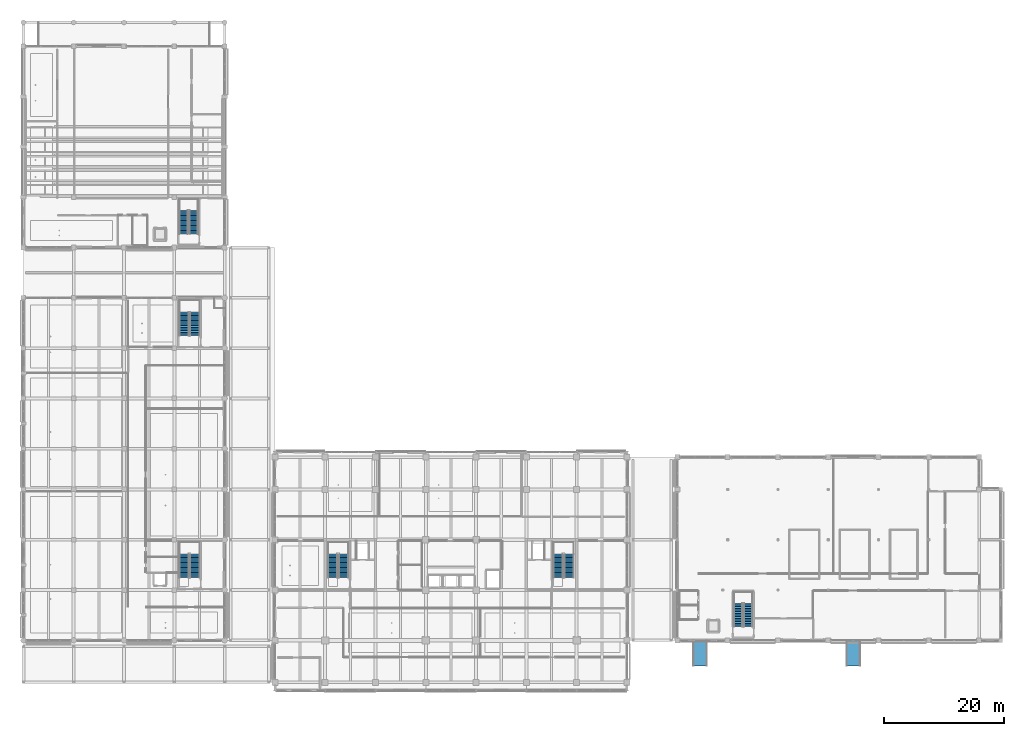
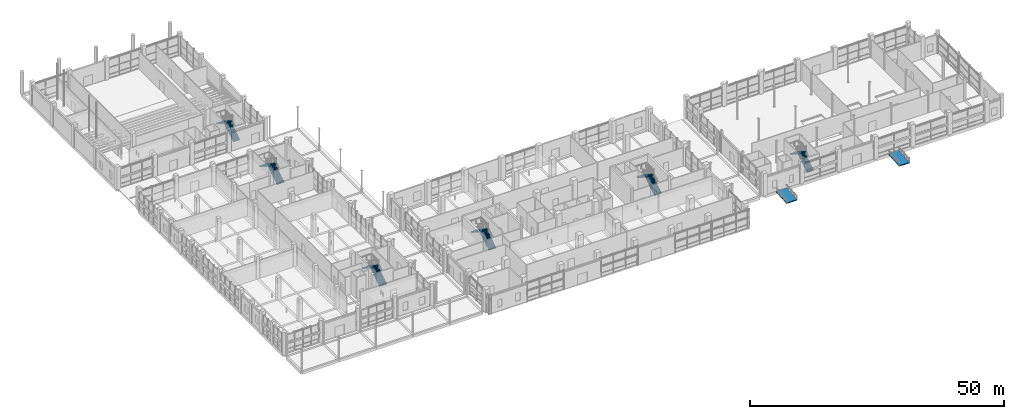
# One storey, part 66 of 140: 12 stair flights, 2 ramp flights, 8 elements without a shape of their own.
"""IFC4 building model written with IfcOpenShell, lengths in metres."""

from ifc_helpers import new_model, si_unit, direction, frame, origin, place, context, subcontext, project, spatial, polyline, outline, extrude, material, layer, layer_set, type_object, element, aggregate, save


model = new_model("IFC4")

# Units and contexts
model_context = context("Model", 3, precision=1e-05, world=origin(), true_north=direction((0.0, 1.0)))
body_context = subcontext(model_context, "Body", "Model", "MODEL_VIEW")
ifc_project = project(units=[si_unit("LENGTHUNIT", "METRE"), si_unit("AREAUNIT", "SQUARE_METRE"), si_unit("VOLUMEUNIT", "CUBIC_METRE"), si_unit("PLANEANGLEUNIT", "RADIAN"), si_unit("MASSUNIT", "GRAM", prefix="KILO")], contexts=[model_context])

# Site, building, storey
site_placement = place(None, origin())
site = spatial("IfcSite", under=ifc_project, at=site_placement, CompositionType="ELEMENT")
building_placement = place(site_placement, origin())
building = spatial("IfcBuilding", under=site, at=building_placement, Name="Telukmera Botanical Conservatory", CompositionType="ELEMENT")
storey_placement = place(building_placement, origin())
storey = spatial("IfcBuildingStorey", under=building, at=storey_placement, Name="L00", CompositionType="ELEMENT", Elevation=0.0)

# Stair, stair flights
ifc_material = material(Name="Concrete C40/50", Category="concrete")
stair_type_1 = type_object("IfcStairType", Name="ST-ESC-5400", PredefinedType="HALF_TURN_STAIR", material=ifc_material)
stair_1_placement = place(storey_placement, origin())
stair_1 = element("IfcStair", 1, at=stair_1_placement, inside=storey, type_object=stair_type_1, Name="L00 Protected Escape Stair ST1", PredefinedType="HALF_TURN_STAIR")
stair_flight_type_1 = type_object("IfcStairFlightType", Name="SF-ESC-5400", PredefinedType="STRAIGHT", material=ifc_material)
stair_flight_1_placement = place(storey_placement, frame((61.89990234375, 28.090087890625, 0.0), z_axis=(0.0, 0.0, 1.0), x_axis=(0.0, 1.0, 0.0)))
stair_flight_1 = element("IfcStairFlight", 2, at=stair_flight_1_placement, type_object=stair_flight_type_1, Name="ST1 flight 1", NumberOfRisers=15, NumberOfTreads=14, PredefinedType="STRAIGHT", RiserHeight=0.18, TreadLength=0.28, context=body_context, shape_type="SweptSolid", body=[
    extrude(outline(polyline([(0.0, 0.0), (0.0, 0.179931640625), (0.280029296875, 0.179931640625), (0.280029296875, 0.360107421875), (0.56005859375, 0.360107421875), (0.56005859375, 0.5400390625), (0.840087890625, 0.5400390625), (0.840087890625, 0.719970703125), (1.1201171875, 0.719970703125), (1.1201171875, 0.89990234375), (1.39990234375, 0.89990234375), (1.39990234375, 1.080078125), (1.679931640625, 1.080078125), (1.679931640625, 1.260009765625), (1.9599609375, 1.260009765625), (1.9599609375, 1.43994140625), (2.239990234375, 1.43994140625), (2.239990234375, 1.6201171875), (2.52001953125, 1.6201171875), (2.52001953125, 1.800048828125), (2.800048828125, 1.800048828125), (2.800048828125, 1.97998046875), (3.080078125, 1.97998046875), (3.080078125, 2.159912109375), (3.360107421875, 2.159912109375), (3.360107421875, 2.340087890625), (3.639892578125, 2.340087890625), (3.639892578125, 2.52001953125), (3.919921875, 2.52001953125), (3.919921875, 2.699951171875), (3.919921875, 2.329833984375), (0.295654296875, 0.0), (0.0, 0.0)])), frame((0.0, 0.830078125, 0.0), z_axis=(0.0, -1.0, 0.0), x_axis=(1.0, 0.0, 0.0)), (0.0, 0.0, 1.0), 1.659912109375),
])
stair_flight_2_placement = place(storey_placement, frame((60.080078125, 32.010009765625, 2.699951171875), z_axis=(0.0, 0.0, 1.0), x_axis=(0.0, -1.0, 0.0)))
stair_flight_2 = element("IfcStairFlight", 3, at=stair_flight_2_placement, type_object=stair_flight_type_1, Name="ST1 flight 2", NumberOfRisers=15, NumberOfTreads=14, PredefinedType="STRAIGHT", RiserHeight=0.18, TreadLength=0.28, context=body_context, shape_type="SweptSolid", body=[
    extrude(outline(polyline([(0.0, 0.0), (0.0, 0.179931640625), (0.280029296875, 0.179931640625), (0.280029296875, 0.360107421875), (0.56005859375, 0.360107421875), (0.56005859375, 0.5400390625), (0.840087890625, 0.5400390625), (0.840087890625, 0.719970703125), (1.1201171875, 0.719970703125), (1.1201171875, 0.89990234375), (1.39990234375, 0.89990234375), (1.39990234375, 1.080078125), (1.679931640625, 1.080078125), (1.679931640625, 1.260009765625), (1.9599609375, 1.260009765625), (1.9599609375, 1.43994140625), (2.239990234375, 1.43994140625), (2.239990234375, 1.6201171875), (2.52001953125, 1.6201171875), (2.52001953125, 1.800048828125), (2.800048828125, 1.800048828125), (2.800048828125, 1.97998046875), (3.080078125, 1.97998046875), (3.080078125, 2.159912109375), (3.360107421875, 2.159912109375), (3.360107421875, 2.340087890625), (3.639892578125, 2.340087890625), (3.639892578125, 2.52001953125), (3.919921875, 2.52001953125), (3.919921875, 2.699951171875), (3.919921875, 2.329833984375), (0.295654296875, 0.0), (0.0, 0.0)])), frame((0.0, 0.830078125, 0.0), z_axis=(0.0, -1.0, 0.0), x_axis=(1.0, 0.0, 0.0)), (0.0, 0.0, 1.0), 1.659912109375),
])
aggregate(stair_1, [stair_flight_1, stair_flight_2])

stair_2_placement = place(storey_placement, origin())
stair_2 = element("IfcStair", 4, at=stair_2_placement, inside=storey, type_object=stair_type_1, Name="L00 Protected Escape Stair ST2", PredefinedType="HALF_TURN_STAIR")
stair_flight_3_placement = place(storey_placement, frame((99.52001953125, 28.090087890625, 0.0), z_axis=(0.0, 0.0, 1.0), x_axis=(0.0, 1.0, 0.0)))
stair_flight_3 = element("IfcStairFlight", 5, at=stair_flight_3_placement, type_object=stair_flight_type_1, Name="ST2 flight 1", NumberOfRisers=15, NumberOfTreads=14, PredefinedType="STRAIGHT", RiserHeight=0.18, TreadLength=0.28, context=body_context, shape_type="SweptSolid", body=[
    extrude(outline(polyline([(0.0, 0.0), (0.0, 0.179931640625), (0.280029296875, 0.179931640625), (0.280029296875, 0.360107421875), (0.56005859375, 0.360107421875), (0.56005859375, 0.5400390625), (0.840087890625, 0.5400390625), (0.840087890625, 0.719970703125), (1.1201171875, 0.719970703125), (1.1201171875, 0.89990234375), (1.39990234375, 0.89990234375), (1.39990234375, 1.080078125), (1.679931640625, 1.080078125), (1.679931640625, 1.260009765625), (1.9599609375, 1.260009765625), (1.9599609375, 1.43994140625), (2.239990234375, 1.43994140625), (2.239990234375, 1.6201171875), (2.52001953125, 1.6201171875), (2.52001953125, 1.800048828125), (2.800048828125, 1.800048828125), (2.800048828125, 1.97998046875), (3.080078125, 1.97998046875), (3.080078125, 2.159912109375), (3.360107421875, 2.159912109375), (3.360107421875, 2.340087890625), (3.639892578125, 2.340087890625), (3.639892578125, 2.52001953125), (3.919921875, 2.52001953125), (3.919921875, 2.699951171875), (3.919921875, 2.329833984375), (0.295654296875, 0.0), (0.0, 0.0)])), frame((0.0, 0.830078125, 0.0), z_axis=(0.0, -1.0, 0.0), x_axis=(1.0, 0.0, 0.0)), (0.0, 0.0, 1.0), 1.659912109375),
])
stair_flight_4_placement = place(storey_placement, frame((97.699951171875, 32.010009765625, 2.699951171875), z_axis=(0.0, 0.0, 1.0), x_axis=(0.0, -1.0, 0.0)))
stair_flight_4 = element("IfcStairFlight", 6, at=stair_flight_4_placement, type_object=stair_flight_type_1, Name="ST2 flight 2", NumberOfRisers=15, NumberOfTreads=14, PredefinedType="STRAIGHT", RiserHeight=0.18, TreadLength=0.28, context=body_context, shape_type="SweptSolid", body=[
    extrude(outline(polyline([(0.0, 0.0), (0.0, 0.179931640625), (0.280029296875, 0.179931640625), (0.280029296875, 0.360107421875), (0.56005859375, 0.360107421875), (0.56005859375, 0.5400390625), (0.840087890625, 0.5400390625), (0.840087890625, 0.719970703125), (1.1201171875, 0.719970703125), (1.1201171875, 0.89990234375), (1.39990234375, 0.89990234375), (1.39990234375, 1.080078125), (1.679931640625, 1.080078125), (1.679931640625, 1.260009765625), (1.9599609375, 1.260009765625), (1.9599609375, 1.43994140625), (2.239990234375, 1.43994140625), (2.239990234375, 1.6201171875), (2.52001953125, 1.6201171875), (2.52001953125, 1.800048828125), (2.800048828125, 1.800048828125), (2.800048828125, 1.97998046875), (3.080078125, 1.97998046875), (3.080078125, 2.159912109375), (3.360107421875, 2.159912109375), (3.360107421875, 2.340087890625), (3.639892578125, 2.340087890625), (3.639892578125, 2.52001953125), (3.919921875, 2.52001953125), (3.919921875, 2.699951171875), (3.919921875, 2.329833984375), (0.295654296875, 0.0), (0.0, 0.0)])), frame((0.0, 0.830078125, 0.0), z_axis=(0.0, -1.0, 0.0), x_axis=(1.0, 0.0, 0.0)), (0.0, 0.0, 1.0), 1.659912109375),
])
aggregate(stair_2, [stair_flight_3, stair_flight_4])

stair_3_placement = place(storey_placement, origin())
stair_3 = element("IfcStair", 7, at=stair_3_placement, inside=storey, type_object=stair_type_1, Name="L00 Protected Escape Stair ST3", PredefinedType="HALF_TURN_STAIR")
stair_flight_5_placement = place(storey_placement, frame((37.050048828125, 28.090087890625, 0.0), z_axis=(0.0, 0.0, 1.0), x_axis=(0.0, 1.0, 0.0)))
stair_flight_5 = element("IfcStairFlight", 8, at=stair_flight_5_placement, type_object=stair_flight_type_1, Name="ST3 flight 1", NumberOfRisers=15, NumberOfTreads=14, PredefinedType="STRAIGHT", RiserHeight=0.18, TreadLength=0.28, context=body_context, shape_type="SweptSolid", body=[
    extrude(outline(polyline([(0.0, 0.0), (0.0, 0.179931640625), (0.280029296875, 0.179931640625), (0.280029296875, 0.360107421875), (0.56005859375, 0.360107421875), (0.56005859375, 0.5400390625), (0.840087890625, 0.5400390625), (0.840087890625, 0.719970703125), (1.1201171875, 0.719970703125), (1.1201171875, 0.89990234375), (1.39990234375, 0.89990234375), (1.39990234375, 1.080078125), (1.679931640625, 1.080078125), (1.679931640625, 1.260009765625), (1.9599609375, 1.260009765625), (1.9599609375, 1.43994140625), (2.239990234375, 1.43994140625), (2.239990234375, 1.6201171875), (2.52001953125, 1.6201171875), (2.52001953125, 1.800048828125), (2.800048828125, 1.800048828125), (2.800048828125, 1.97998046875), (3.080078125, 1.97998046875), (3.080078125, 2.159912109375), (3.360107421875, 2.159912109375), (3.360107421875, 2.340087890625), (3.639892578125, 2.340087890625), (3.639892578125, 2.52001953125), (3.919921875, 2.52001953125), (3.919921875, 2.699951171875), (3.919921875, 2.329833984375), (0.295654296875, 0.0), (0.0, 0.0)])), frame((0.0, 0.830078125, 0.0), z_axis=(0.0, -1.0, 0.0), x_axis=(1.0, 0.0, 0.0)), (0.0, 0.0, 1.0), 1.659912109375),
])
stair_flight_6_placement = place(storey_placement, frame((35.22998046875, 32.010009765625, 2.699951171875), z_axis=(0.0, 0.0, 1.0), x_axis=(0.0, -1.0, 0.0)))
stair_flight_6 = element("IfcStairFlight", 9, at=stair_flight_6_placement, type_object=stair_flight_type_1, Name="ST3 flight 2", NumberOfRisers=15, NumberOfTreads=14, PredefinedType="STRAIGHT", RiserHeight=0.18, TreadLength=0.28, context=body_context, shape_type="SweptSolid", body=[
    extrude(outline(polyline([(0.0, 0.0), (0.0, 0.179931640625), (0.280029296875, 0.179931640625), (0.280029296875, 0.360107421875), (0.56005859375, 0.360107421875), (0.56005859375, 0.5400390625), (0.840087890625, 0.5400390625), (0.840087890625, 0.719970703125), (1.1201171875, 0.719970703125), (1.1201171875, 0.89990234375), (1.39990234375, 0.89990234375), (1.39990234375, 1.080078125), (1.679931640625, 1.080078125), (1.679931640625, 1.260009765625), (1.9599609375, 1.260009765625), (1.9599609375, 1.43994140625), (2.239990234375, 1.43994140625), (2.239990234375, 1.6201171875), (2.52001953125, 1.6201171875), (2.52001953125, 1.800048828125), (2.800048828125, 1.800048828125), (2.800048828125, 1.97998046875), (3.080078125, 1.97998046875), (3.080078125, 2.159912109375), (3.360107421875, 2.159912109375), (3.360107421875, 2.340087890625), (3.639892578125, 2.340087890625), (3.639892578125, 2.52001953125), (3.919921875, 2.52001953125), (3.919921875, 2.699951171875), (3.919921875, 2.329833984375), (0.295654296875, 0.0), (0.0, 0.0)])), frame((0.0, 0.830078125, 0.0), z_axis=(0.0, -1.0, 0.0), x_axis=(1.0, 0.0, 0.0)), (0.0, 0.0, 1.0), 1.659912109375),
])
aggregate(stair_3, [stair_flight_5, stair_flight_6])

stair_4_placement = place(storey_placement, origin())
stair_4 = element("IfcStair", 10, at=stair_4_placement, inside=storey, type_object=stair_type_1, Name="L00 Protected Escape Stair ST4", PredefinedType="HALF_TURN_STAIR")
stair_flight_7_placement = place(storey_placement, frame((37.050048828125, 68.489990234375, 0.0), z_axis=(0.0, 0.0, 1.0), x_axis=(0.0, 1.0, 0.0)))
stair_flight_7 = element("IfcStairFlight", 11, at=stair_flight_7_placement, type_object=stair_flight_type_1, Name="ST4 flight 1", NumberOfRisers=15, NumberOfTreads=14, PredefinedType="STRAIGHT", RiserHeight=0.18, TreadLength=0.28, context=body_context, shape_type="SweptSolid", body=[
    extrude(outline(polyline([(0.0, 0.0), (0.0, 0.179931640625), (0.280029296875, 0.179931640625), (0.280029296875, 0.360107421875), (0.56005859375, 0.360107421875), (0.56005859375, 0.5400390625), (0.840087890625, 0.5400390625), (0.840087890625, 0.719970703125), (1.1201171875, 0.719970703125), (1.1201171875, 0.89990234375), (1.39990234375, 0.89990234375), (1.39990234375, 1.080078125), (1.679931640625, 1.080078125), (1.679931640625, 1.260009765625), (1.9599609375, 1.260009765625), (1.9599609375, 1.43994140625), (2.239990234375, 1.43994140625), (2.239990234375, 1.6201171875), (2.52001953125, 1.6201171875), (2.52001953125, 1.800048828125), (2.800048828125, 1.800048828125), (2.800048828125, 1.97998046875), (3.080078125, 1.97998046875), (3.080078125, 2.159912109375), (3.360107421875, 2.159912109375), (3.360107421875, 2.340087890625), (3.639892578125, 2.340087890625), (3.639892578125, 2.52001953125), (3.919921875, 2.52001953125), (3.919921875, 2.699951171875), (3.919921875, 2.329833984375), (0.295654296875, 0.0), (0.0, 0.0)])), frame((0.0, 0.830078125, 0.0), z_axis=(0.0, -1.0, 0.0), x_axis=(1.0, 0.0, 0.0)), (0.0, 0.0, 1.0), 1.659912109375),
])
stair_flight_8_placement = place(storey_placement, frame((35.22998046875, 72.409912109375, 2.699951171875), z_axis=(0.0, 0.0, 1.0), x_axis=(0.0, -1.0, 0.0)))
stair_flight_8 = element("IfcStairFlight", 12, at=stair_flight_8_placement, type_object=stair_flight_type_1, Name="ST4 flight 2", NumberOfRisers=15, NumberOfTreads=14, PredefinedType="STRAIGHT", RiserHeight=0.18, TreadLength=0.28, context=body_context, shape_type="SweptSolid", body=[
    extrude(outline(polyline([(0.0, 0.0), (0.0, 0.179931640625), (0.280029296875, 0.179931640625), (0.280029296875, 0.360107421875), (0.56005859375, 0.360107421875), (0.56005859375, 0.5400390625), (0.840087890625, 0.5400390625), (0.840087890625, 0.719970703125), (1.1201171875, 0.719970703125), (1.1201171875, 0.89990234375), (1.39990234375, 0.89990234375), (1.39990234375, 1.080078125), (1.679931640625, 1.080078125), (1.679931640625, 1.260009765625), (1.9599609375, 1.260009765625), (1.9599609375, 1.43994140625), (2.239990234375, 1.43994140625), (2.239990234375, 1.6201171875), (2.52001953125, 1.6201171875), (2.52001953125, 1.800048828125), (2.800048828125, 1.800048828125), (2.800048828125, 1.97998046875), (3.080078125, 1.97998046875), (3.080078125, 2.159912109375), (3.360107421875, 2.159912109375), (3.360107421875, 2.340087890625), (3.639892578125, 2.340087890625), (3.639892578125, 2.52001953125), (3.919921875, 2.52001953125), (3.919921875, 2.699951171875), (3.919921875, 2.329833984375), (0.295654296875, 0.0), (0.0, 0.0)])), frame((0.0, 0.830078125, 0.0), z_axis=(0.0, -1.0, 0.0), x_axis=(1.0, 0.0, 0.0)), (0.0, 0.0, 1.0), 1.659912109375),
])
aggregate(stair_4, [stair_flight_7, stair_flight_8])

stair_type_2 = type_object("IfcStairType", Name="ST-FEAT-5400", PredefinedType="HALF_TURN_STAIR", material=ifc_material)
stair_5_placement = place(storey_placement, origin())
stair_5 = element("IfcStair", 13, at=stair_5_placement, inside=storey, type_object=stair_type_2, Name="L00 Feature Stair ST5", PredefinedType="HALF_TURN_STAIR")
stair_flight_type_2 = type_object("IfcStairFlightType", Name="SF-FEAT-5400", PredefinedType="STRAIGHT", material=ifc_material)
stair_flight_9_placement = place(storey_placement, frame((129.43994140625, 19.8798828125, 0.0), z_axis=(0.0, 0.0, 1.0), x_axis=(0.0, 1.0, 0.0)))
stair_flight_9 = element("IfcStairFlight", 14, at=stair_flight_9_placement, type_object=stair_flight_type_2, Name="ST5 flight 1", NumberOfRisers=15, NumberOfTreads=14, PredefinedType="STRAIGHT", RiserHeight=0.18, TreadLength=0.28, context=body_context, shape_type="SweptSolid", body=[
    extrude(outline(polyline([(0.0, 0.0), (0.0, 0.179931640625), (0.280029296875, 0.179931640625), (0.280029296875, 0.360107421875), (0.56005859375, 0.360107421875), (0.56005859375, 0.5400390625), (0.840087890625, 0.5400390625), (0.840087890625, 0.719970703125), (1.1201171875, 0.719970703125), (1.1201171875, 0.89990234375), (1.39990234375, 0.89990234375), (1.39990234375, 1.080078125), (1.679931640625, 1.080078125), (1.679931640625, 1.260009765625), (1.9599609375, 1.260009765625), (1.9599609375, 1.43994140625), (2.239990234375, 1.43994140625), (2.239990234375, 1.6201171875), (2.52001953125, 1.6201171875), (2.52001953125, 1.800048828125), (2.800048828125, 1.800048828125), (2.800048828125, 1.97998046875), (3.080078125, 1.97998046875), (3.080078125, 2.159912109375), (3.360107421875, 2.159912109375), (3.360107421875, 2.340087890625), (3.639892578125, 2.340087890625), (3.639892578125, 2.52001953125), (3.919921875, 2.52001953125), (3.919921875, 2.699951171875), (3.919921875, 2.329833984375), (0.295654296875, 0.0), (0.0, 0.0)])), frame((0.0, 0.760009765625, 0.0), z_axis=(0.0, -1.0, 0.0), x_axis=(1.0, 0.0, 0.0)), (0.0, 0.0, 1.0), 1.52001953125),
])
stair_flight_10_placement = place(storey_placement, frame((127.760009765625, 23.800048828125, 2.699951171875), z_axis=(0.0, 0.0, 1.0), x_axis=(0.0, -1.0, 0.0)))
stair_flight_10 = element("IfcStairFlight", 15, at=stair_flight_10_placement, type_object=stair_flight_type_2, Name="ST5 flight 2", NumberOfRisers=15, NumberOfTreads=14, PredefinedType="STRAIGHT", RiserHeight=0.18, TreadLength=0.28, context=body_context, shape_type="SweptSolid", body=[
    extrude(outline(polyline([(0.0, 0.0), (0.0, 0.179931640625), (0.280029296875, 0.179931640625), (0.280029296875, 0.360107421875), (0.56005859375, 0.360107421875), (0.56005859375, 0.5400390625), (0.840087890625, 0.5400390625), (0.840087890625, 0.719970703125), (1.1201171875, 0.719970703125), (1.1201171875, 0.89990234375), (1.39990234375, 0.89990234375), (1.39990234375, 1.080078125), (1.679931640625, 1.080078125), (1.679931640625, 1.260009765625), (1.9599609375, 1.260009765625), (1.9599609375, 1.43994140625), (2.239990234375, 1.43994140625), (2.239990234375, 1.6201171875), (2.52001953125, 1.6201171875), (2.52001953125, 1.800048828125), (2.800048828125, 1.800048828125), (2.800048828125, 1.97998046875), (3.080078125, 1.97998046875), (3.080078125, 2.159912109375), (3.360107421875, 2.159912109375), (3.360107421875, 2.340087890625), (3.639892578125, 2.340087890625), (3.639892578125, 2.52001953125), (3.919921875, 2.52001953125), (3.919921875, 2.699951171875), (3.919921875, 2.329833984375), (0.295654296875, 0.0), (0.0, 0.0)])), frame((0.0, 0.760009765625, 0.0), z_axis=(0.0, -1.0, 0.0), x_axis=(1.0, 0.0, 0.0)), (0.0, 0.0, 1.0), 1.52001953125),
])
aggregate(stair_5, [stair_flight_9, stair_flight_10])

stair_6_placement = place(storey_placement, origin())
stair_6 = element("IfcStair", 16, at=stair_6_placement, inside=storey, type_object=stair_type_2, Name="L00 Feature Stair ST6", PredefinedType="HALF_TURN_STAIR")
stair_flight_11_placement = place(storey_placement, frame((36.840087890625, 85.47998046875, 0.0), z_axis=(0.0, 0.0, 1.0), x_axis=(0.0, 1.0, 0.0)))
stair_flight_11 = element("IfcStairFlight", 17, at=stair_flight_11_placement, type_object=stair_flight_type_2, Name="ST6 flight 1", NumberOfRisers=15, NumberOfTreads=14, PredefinedType="STRAIGHT", RiserHeight=0.18, TreadLength=0.28, context=body_context, shape_type="SweptSolid", body=[
    extrude(outline(polyline([(0.0, 0.0), (0.0, 0.179931640625), (0.280029296875, 0.179931640625), (0.280029296875, 0.360107421875), (0.56005859375, 0.360107421875), (0.56005859375, 0.5400390625), (0.840087890625, 0.5400390625), (0.840087890625, 0.719970703125), (1.1201171875, 0.719970703125), (1.1201171875, 0.89990234375), (1.39990234375, 0.89990234375), (1.39990234375, 1.080078125), (1.679931640625, 1.080078125), (1.679931640625, 1.260009765625), (1.9599609375, 1.260009765625), (1.9599609375, 1.43994140625), (2.239990234375, 1.43994140625), (2.239990234375, 1.6201171875), (2.52001953125, 1.6201171875), (2.52001953125, 1.800048828125), (2.800048828125, 1.800048828125), (2.800048828125, 1.97998046875), (3.080078125, 1.97998046875), (3.080078125, 2.159912109375), (3.360107421875, 2.159912109375), (3.360107421875, 2.340087890625), (3.639892578125, 2.340087890625), (3.639892578125, 2.52001953125), (3.919921875, 2.52001953125), (3.919921875, 2.699951171875), (3.919921875, 2.329833984375), (0.295654296875, 0.0), (0.0, 0.0)])), frame((0.0, 0.760009765625, 0.0), z_axis=(0.0, -1.0, 0.0), x_axis=(1.0, 0.0, 0.0)), (0.0, 0.0, 1.0), 1.52001953125),
])
stair_flight_12_placement = place(storey_placement, frame((35.159912109375, 89.39990234375, 2.699951171875), z_axis=(0.0, 0.0, 1.0), x_axis=(0.0, -1.0, 0.0)))
stair_flight_12 = element("IfcStairFlight", 18, at=stair_flight_12_placement, type_object=stair_flight_type_2, Name="ST6 flight 2", NumberOfRisers=15, NumberOfTreads=14, PredefinedType="STRAIGHT", RiserHeight=0.18, TreadLength=0.28, context=body_context, shape_type="SweptSolid", body=[
    extrude(outline(polyline([(0.0, 0.0), (0.0, 0.179931640625), (0.280029296875, 0.179931640625), (0.280029296875, 0.360107421875), (0.56005859375, 0.360107421875), (0.56005859375, 0.5400390625), (0.840087890625, 0.5400390625), (0.840087890625, 0.719970703125), (1.1201171875, 0.719970703125), (1.1201171875, 0.89990234375), (1.39990234375, 0.89990234375), (1.39990234375, 1.080078125), (1.679931640625, 1.080078125), (1.679931640625, 1.260009765625), (1.9599609375, 1.260009765625), (1.9599609375, 1.43994140625), (2.239990234375, 1.43994140625), (2.239990234375, 1.6201171875), (2.52001953125, 1.6201171875), (2.52001953125, 1.800048828125), (2.800048828125, 1.800048828125), (2.800048828125, 1.97998046875), (3.080078125, 1.97998046875), (3.080078125, 2.159912109375), (3.360107421875, 2.159912109375), (3.360107421875, 2.340087890625), (3.639892578125, 2.340087890625), (3.639892578125, 2.52001953125), (3.919921875, 2.52001953125), (3.919921875, 2.699951171875), (3.919921875, 2.329833984375), (0.295654296875, 0.0), (0.0, 0.0)])), frame((0.0, 0.760009765625, 0.0), z_axis=(0.0, -1.0, 0.0), x_axis=(1.0, 0.0, 0.0)), (0.0, 0.0, 1.0), 1.52001953125),
])
aggregate(stair_6, [stair_flight_11, stair_flight_12])

# Ramp, ramp flight
ramp_type = type_object("IfcRampType", Name="Boulevard Forecourt Step Free Approach Ramp", PredefinedType="STRAIGHT_RUN_RAMP", material=ifc_material)
ramp_1_placement = place(storey_placement, origin())
ramp_1 = element("IfcRamp", 19, at=ramp_1_placement, inside=storey, type_object=ramp_type, Name="Conservatory West Accessible Approach Ramp RMP01", PredefinedType="STRAIGHT_RUN_RAMP")
ifc_layer = layer(ifc_material, 0.199951171875)
ifc_layer_set = layer_set([ifc_layer], Name="Concrete C40/50")
ramp_flight_type = type_object("IfcRampFlightType", Name="Boulevard Forecourt Sloped Concrete Ramp Flight", PredefinedType="STRAIGHT", material=ifc_layer_set)
ramp_flight_1_placement = place(storey_placement, frame((121.39990234375, 13.300048828125, -0.300048828125), z_axis=(0.0, 0.0, 1.0), x_axis=(0.0, 1.0, 0.0)))
ramp_flight_1 = element("IfcRampFlight", 20, at=ramp_flight_1_placement, type_object=ramp_flight_type, Name="Conservatory West Accessible Approach Ramp Flight 1", PredefinedType="STRAIGHT", context=body_context, shape_type="SweptSolid", body=[
    extrude(outline(polyline([(0.0, -0.199951171875), (4.300048828125, 0.10009765625), (4.300048828125, 0.300048828125), (0.0, 0.0), (0.0, -0.199951171875)])), frame((0.0, 1.199951171875, 0.0), z_axis=(0.0, -1.0, 0.0), x_axis=(1.0, 0.0, 0.0)), (0.0, 0.0, 1.0), 2.39990234375),
])
aggregate(ramp_1, [ramp_flight_1])

ramp_2_placement = place(storey_placement, origin())
ramp_2 = element("IfcRamp", 21, at=ramp_2_placement, inside=storey, type_object=ramp_type, Name="Conservatory Boulevard Accessible Approach Ramp RMP02", PredefinedType="STRAIGHT_RUN_RAMP")
ramp_flight_2_placement = place(storey_placement, frame((147.0, 13.300048828125, -0.300048828125), z_axis=(0.0, 0.0, 1.0), x_axis=(0.0, 1.0, 0.0)))
ramp_flight_2 = element("IfcRampFlight", 22, at=ramp_flight_2_placement, type_object=ramp_flight_type, Name="Conservatory Boulevard Accessible Approach Ramp Flight 2", PredefinedType="STRAIGHT", context=body_context, shape_type="SweptSolid", body=[
    extrude(outline(polyline([(0.0, -0.199951171875), (4.300048828125, 0.10009765625), (4.300048828125, 0.300048828125), (0.0, 0.0), (0.0, -0.199951171875)])), frame((0.0, 1.199951171875, 0.0), z_axis=(0.0, -1.0, 0.0), x_axis=(1.0, 0.0, 0.0)), (0.0, 0.0, 1.0), 2.39990234375),
])
aggregate(ramp_2, [ramp_flight_2])

save(model, "model.ifc")
